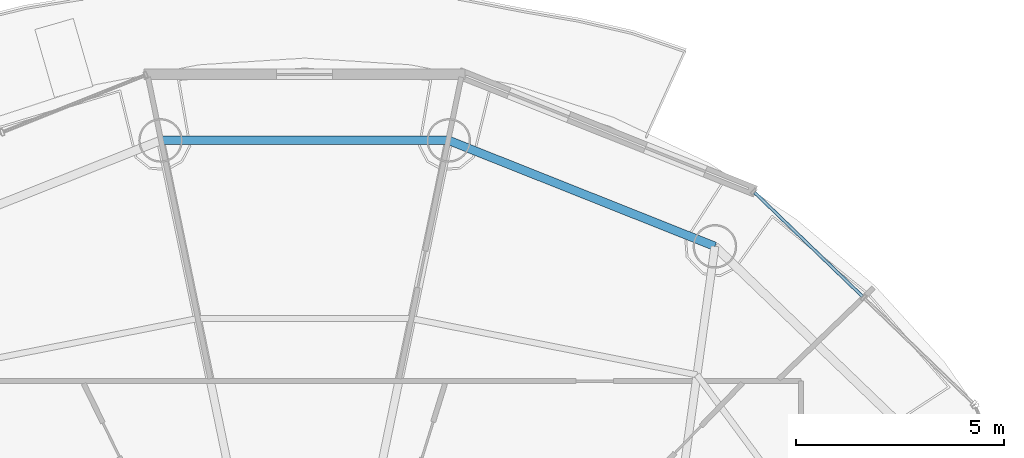
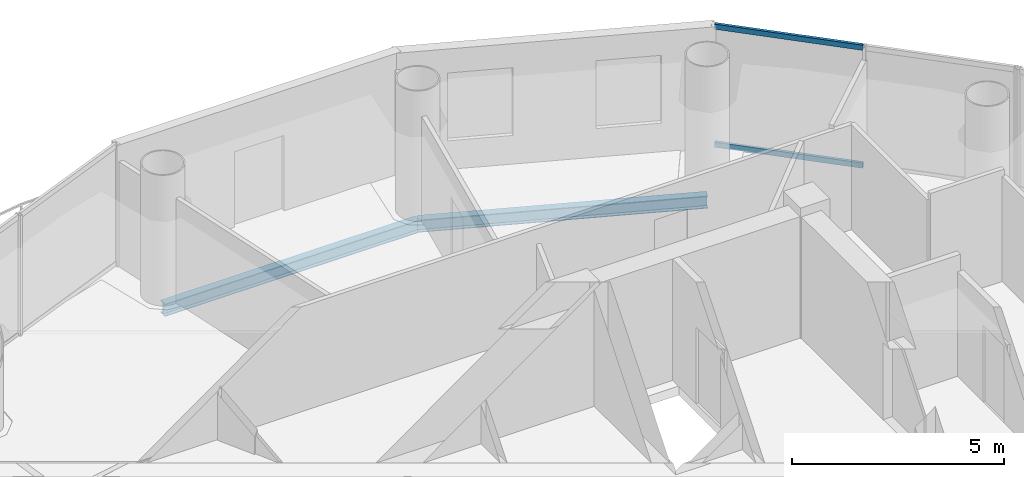
# One storey, part 15 of 24: 2 beams, 2 members, 1 element without a shape of its own.
"""IFC4 building model written with IfcOpenShell, lengths in metres."""

from ifc_helpers import new_model, si_unit, direction, frame, origin, origin_2d, place, context, subcontext, project, spatial, hollow_rectangle, i_section, extrude, source, transform, mapped, material, material_profile, profile_set, type_object, element, aggregate, save


model = new_model("IFC4")

# Units and contexts
model_context = context("Model", 3, precision=1e-05, world=origin(), true_north=direction((-0.2419218956, 0.970295726276)))
body_context = subcontext(model_context, "Body", "Model", "MODEL_VIEW")
ifc_project = project(units=[si_unit("LENGTHUNIT", "METRE"), si_unit("AREAUNIT", "SQUARE_METRE"), si_unit("VOLUMEUNIT", "CUBIC_METRE"), si_unit("PLANEANGLEUNIT", "RADIAN"), si_unit("MASSUNIT", "GRAM", prefix="KILO")], contexts=[model_context])

# Site, building, storey
site_placement = place(None, origin())
site = spatial("IfcSite", under=ifc_project, at=site_placement, CompositionType="ELEMENT")
building_placement = place(site_placement, origin())
building = spatial("IfcBuilding", under=site, at=building_placement, Name="Cobrevalo Terracotta Tower", CompositionType="ELEMENT")
storey_placement = place(building_placement, frame((0.0, 0.0, 274.449951171875)))
storey = spatial("IfcBuildingStorey", under=building, at=storey_placement, Name="L72", CompositionType="ELEMENT", Elevation=274.449951171875)

# Beams
ifc_material_1 = material(Name="Steel S355", Category="steel")
ifc_material_profile_1 = material_profile(ifc_material_1, i_section(OverallWidth=0.205078125, OverallDepth=0.35400390625, WebThickness=0.009521484375, FlangeThickness=0.016845703125, at=origin_2d()), Name="W 360x79")
ifc_profile_set_1 = profile_set([ifc_material_profile_1], Name="Steel S355")
beam_type = type_object("IfcBeamType", Name="Structural Spandrel W 360x79 (Steel S355)", PredefinedType="SPANDREL", material=ifc_profile_set_1)
beam_1_placement = place(storey_placement, frame((47.861328125, 40.9765625, -0.43701171875), z_axis=(-0.929149986048, 0.369702993533, 0.0), x_axis=(-0.369702993533, -0.929149986048, 0.0)))
element("IfcBeam", 1, at=beam_1_placement, inside=storey, type_object=beam_type, Name="L72 perimeter ring spandrel 03", PredefinedType="SPANDREL", context=body_context, shape_type="SweptSolid", body=[
    extrude(i_section(OverallWidth=0.205078125, OverallDepth=0.35400390625, WebThickness=0.009521484375, FlangeThickness=0.016845703125, at=origin_2d()), origin(), (0.0, 0.0, 1.0), 6.88623046875),
])
beam_2_placement = place(storey_placement, frame((41.462890625, 43.5224609375, -0.43701171875), z_axis=(-1.0, 0.0, 0.0), x_axis=(0.0, -1.0, 0.0)))
element("IfcBeam", 2, at=beam_2_placement, inside=storey, type_object=beam_type, Name="L72 perimeter ring spandrel 04", PredefinedType="SPANDREL", context=body_context, shape_type="SweptSolid", body=[
    extrude(i_section(OverallWidth=0.205078125, OverallDepth=0.35400390625, WebThickness=0.009521484375, FlangeThickness=0.016845703125, at=origin_2d()), origin(), (0.0, 0.0, 1.0), 6.92578125),
])

# Curtain wall, members
ifc_material_2 = material(Name="Anodized aluminium", Category="aluminium")
curtain_wall_type = type_object("IfcCurtainWallType", Name="Upper-tower triple-glazed penthouse curtain wall CW-U3", PredefinedType="NOTDEFINED", material=ifc_material_2)
curtain_wall_placement = place(storey_placement, origin())
curtain_wall = element("IfcCurtainWall", 3, at=curtain_wall_placement, inside=storey, type_object=curtain_wall_type, Name="L72 curtain wall CW-L72-S02", PredefinedType="NOTDEFINED")
ifc_material_profile_2 = material_profile(ifc_material_2, hollow_rectangle(XDim=0.074951171875, YDim=0.14990234375, WallThickness=0.00439453125, at=origin_2d()), Name="CWT 75x150")
ifc_profile_set_2 = profile_set([ifc_material_profile_2], Name="Anodized aluminium")
member_type = type_object("IfcMemberType", Name="Tower unitised aluminium transom 75x150", PredefinedType="USERDEFINED", material=ifc_profile_set_2)
shared_shape = source(origin(), body_context, "Body", "SweptSolid", [
    extrude(hollow_rectangle(XDim=0.074951171875, YDim=0.14990234375, WallThickness=0.00439453125, at=origin_2d()), origin(), (0.0, 0.0, 1.0), 3.59130859375),
])
member_1_placement = place(storey_placement, frame((51.40478515625, 39.77587890625, 0.050048828125), z_axis=(-0.720005628362, 0.693968223427, 0.0), x_axis=(-0.693968223427, -0.720005628362, 0.0)))
member_1 = element("IfcMember", 4, at=member_1_placement, type_object=member_type, Name="CW-L72-S02 transom B02-T1", ObjectType="TRANSOM", PredefinedType="USERDEFINED", context=body_context, shape_type="MappedRepresentation", body=[
    mapped(shared_shape, transform((0.0, 0.0, 0.0), scale=1.0)),
])
member_2_placement = place(storey_placement, frame((51.40478515625, 39.77587890625, 3.43994140625), z_axis=(-0.720005628362, 0.693968223427, 0.0), x_axis=(-0.693968223427, -0.720005628362, 0.0)))
member_2 = element("IfcMember", 5, at=member_2_placement, type_object=member_type, Name="CW-L72-S02 transom B02-T2", ObjectType="TRANSOM", PredefinedType="USERDEFINED", context=body_context, shape_type="MappedRepresentation", body=[
    mapped(shared_shape, transform((0.0, 0.0, 0.0), scale=1.0)),
])
aggregate(curtain_wall, [member_1, member_2])

save(model, "model.ifc")
